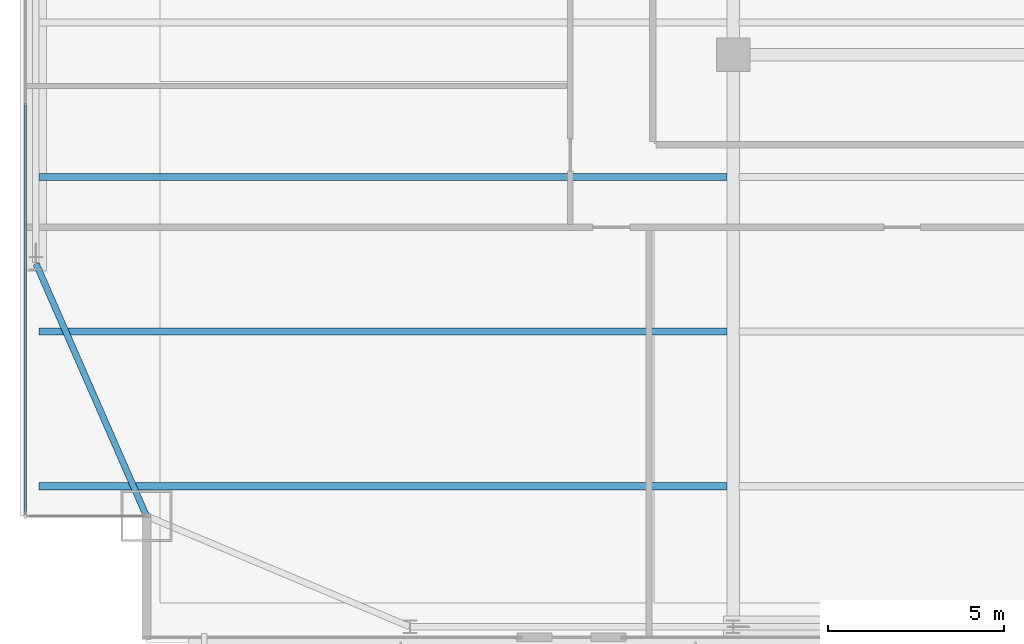
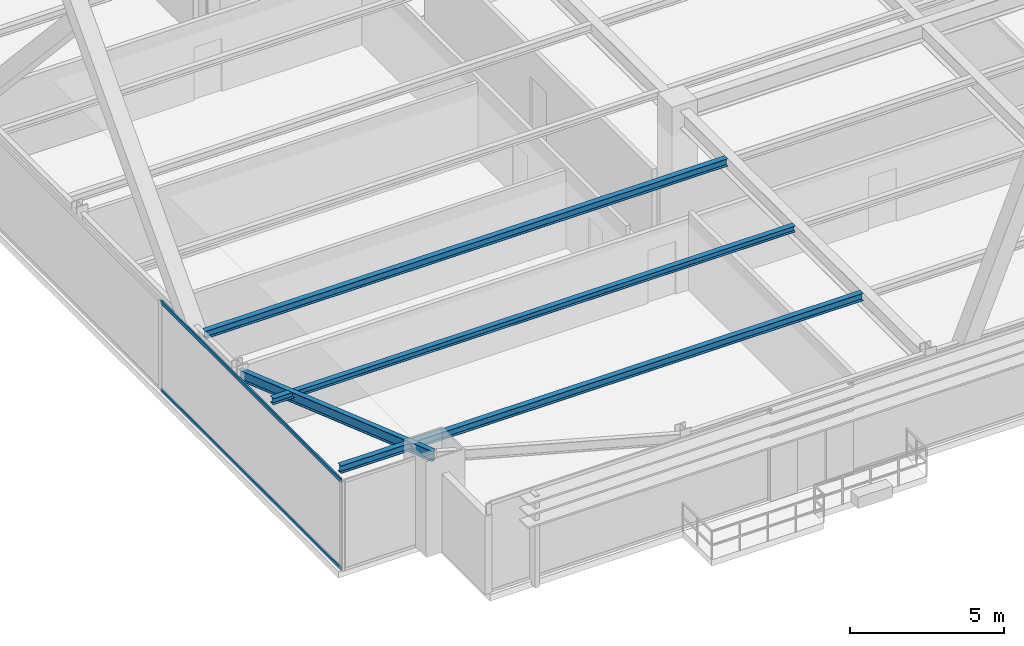
# One storey, part 5 of 38: 4 beams, 2 members, 1 element without a shape of its own.
"""IFC4 building model written with IfcOpenShell, lengths in metres."""

from ifc_helpers import new_model, si_unit, direction, frame, origin, origin_2d, place, context, subcontext, project, spatial, hollow_rectangle, i_section, extrude, source, transform, mapped, material, layer, layer_set, material_profile, profile_set, type_object, type_shapes, element, aggregate, save


model = new_model("IFC4")

# Units and contexts
model_context = context("Model", 3, precision=1e-05, world=origin(), true_north=direction((0.0, 1.0)))
body_context = subcontext(model_context, "Body", "Model", "MODEL_VIEW")
ifc_project = project(units=[si_unit("LENGTHUNIT", "METRE"), si_unit("AREAUNIT", "SQUARE_METRE"), si_unit("VOLUMEUNIT", "CUBIC_METRE"), si_unit("PLANEANGLEUNIT", "RADIAN"), si_unit("MASSUNIT", "GRAM", prefix="KILO")], contexts=[model_context])

# Site, building, storey
site_placement = place(None, origin())
site = spatial("IfcSite", under=ifc_project, at=site_placement, CompositionType="ELEMENT")
building_placement = place(site_placement, origin())
building = spatial("IfcBuilding", under=site, at=building_placement, Name="Varnel Quay Broadcast Tower", CompositionType="ELEMENT")
storey_placement = place(building_placement, frame((0.0, 0.0, 118.199951171875)))
storey = spatial("IfcBuildingStorey", under=building, at=storey_placement, Name="L28", CompositionType="ELEMENT", Elevation=118.199951171875)

# Beams
ifc_material_1 = material(Name="Structural Steel CSA G40.21 350W", Category="steel")
ifc_material_profile_1 = material_profile(ifc_material_1, i_section(OverallWidth=0.180908203125, OverallDepth=0.4169921875, WebThickness=0.010986328125, FlangeThickness=0.018310546875, FilletRadius=0.011962890625, at=origin_2d()), Name="W410X85")
ifc_profile_set_1 = profile_set([ifc_material_profile_1], Name="Structural Steel CSA G40.21 350W")
beam_type_1 = type_object("IfcBeamType", Name="Beam_W410X85", PredefinedType="SPANDREL", material=ifc_profile_set_1)
shared_shape_1 = source(origin(), body_context, "Body", "SweptSolid", [
    extrude(i_section(OverallWidth=0.180908203125, OverallDepth=0.4169921875, WebThickness=0.010986328125, FlangeThickness=0.018310546875, FilletRadius=0.011962890625, at=origin_2d()), origin(), (0.0, 0.0, 1.0), 7.81884765625),
])
type_shapes(beam_type_1, [shared_shape_1])
beam_1_placement = place(storey_placement, frame((8.092041015625, 7.818359375, 3.341552734375), z_axis=(-0.400827023998, 0.916153751743, 0.0), x_axis=(-0.916153751743, -0.400827023998, 0.0)))
element("IfcBeam", 1, at=beam_1_placement, inside=storey, type_object=beam_type_1, Name="L28 West Spandrel MC-SW-TC-W1", PredefinedType="SPANDREL", context=body_context, shape_type="MappedRepresentation", body=[
    mapped(shared_shape_1, transform((0.0, 0.0, 0.0), x_axis=(1.0, 0.0, 0.0), y_axis=(0.0, 1.0, 0.0), z_axis=(0.0, 0.0, 1.0), scale=1.0)),
])
ifc_material_profile_2 = material_profile(ifc_material_1, i_section(OverallWidth=0.202880859375, OverallDepth=0.302978515625, WebThickness=0.007568359375, FlangeThickness=0.01318359375, FilletRadius=0.011962890625, at=origin_2d()), Name="W310X60")
ifc_profile_set_2 = profile_set([ifc_material_profile_2], Name="Structural Steel CSA G40.21 350W")
beam_type_2 = type_object("IfcBeamType", Name="Beam_W310X60", PredefinedType="JOIST", material=ifc_profile_set_2)
shared_shape_2 = source(origin(), body_context, "Body", "SweptSolid", [
    extrude(i_section(OverallWidth=0.202880859375, OverallDepth=0.302978515625, WebThickness=0.007568359375, FlangeThickness=0.01318359375, FilletRadius=0.011962890625, at=origin_2d()), origin(), (0.0, 0.0, 1.0), 19.592041015625),
])
type_shapes(beam_type_2, [shared_shape_2])
for number, where, z_axis, x_axis, name in (
    (2, (5.035400390625, 8.64990234375, 3.3984375), (1.0, 0.0, 0.0), (0.0, 1.0, 0.0), "L28 West Floor Joist 1"),
    (3, (5.035400390625, 17.449951171875, 3.3984375), (1.0, 0.0, 0.0), (0.0, 1.0, 0.0), "L28 West Floor Joist 3"),
):
    element("IfcBeam", number, at=place(storey_placement, frame(where, z_axis=z_axis, x_axis=x_axis)), inside=storey, type_object=beam_type_2, Name=name, PredefinedType="JOIST", context=body_context, shape_type="MappedRepresentation", body=[
        mapped(shared_shape_2, transform((0.0, 0.0, 0.0), x_axis=(1.0, 0.0, 0.0), y_axis=(0.0, 1.0, 0.0), z_axis=(0.0, 0.0, 1.0), scale=1.0)),
    ])
ifc_material_profile_3 = material_profile(ifc_material_1, i_section(OverallWidth=0.201904296875, OverallDepth=0.2470703125, WebThickness=0.00732421875, FlangeThickness=0.010986328125, FilletRadius=0.010986328125, at=origin_2d()), Name="W250X49")
ifc_profile_set_3 = profile_set([ifc_material_profile_3], Name="Structural Steel CSA G40.21 350W")
beam_type_3 = type_object("IfcBeamType", Name="Beam_W250X49", PredefinedType="JOIST", material=ifc_profile_set_3)
shared_shape_3 = source(origin(), body_context, "Body", "SweptSolid", [
    extrude(i_section(OverallWidth=0.201904296875, OverallDepth=0.2470703125, WebThickness=0.00732421875, FlangeThickness=0.010986328125, FilletRadius=0.010986328125, at=origin_2d()), origin(), (0.0, 0.0, 1.0), 19.592041015625),
])
type_shapes(beam_type_3, [shared_shape_3])
beam_2_placement = place(storey_placement, frame((5.035400390625, 13.050048828125, 3.426513671875), z_axis=(1.0, 0.0, 0.0), x_axis=(0.0, 1.0, 0.0)))
element("IfcBeam", 4, at=beam_2_placement, inside=storey, type_object=beam_type_3, Name="L28 West Floor Joist 2", PredefinedType="JOIST", context=body_context, shape_type="MappedRepresentation", body=[
    mapped(shared_shape_3, transform((0.0, 0.0, 0.0), x_axis=(1.0, 0.0, 0.0), y_axis=(0.0, 1.0, 0.0), z_axis=(0.0, 0.0, 1.0), scale=1.0)),
])

# Curtain wall, members
ifc_material_2 = material(Name="Anodised Bronze Aluminium 6063-T6", Category="aluminium")
ifc_layer = layer(ifc_material_2, 0.18994140625, Name="Anodised Bronze Aluminium 6063-T6")
ifc_layer_set = layer_set([ifc_layer], Name="Anodised Bronze Aluminium 6063-T6")
curtain_wall_type = type_object("IfcCurtainWallType", Name="CW_LowerTower", PredefinedType="NOTDEFINED", material=ifc_layer_set)
curtain_wall_placement = place(storey_placement, origin())
curtain_wall = element("IfcCurtainWall", 5, at=curtain_wall_placement, inside=storey, type_object=curtain_wall_type, Name="L28 West Unitised Curtain Wall", PredefinedType="NOTDEFINED")
ifc_material_profile_4 = material_profile(ifc_material_2, hollow_rectangle(XDim=0.06005859375, YDim=0.14501953125, WallThickness=0.00341796875, at=origin_2d()), Name="ALU60X145X3.5")
ifc_profile_set_4 = profile_set([ifc_material_profile_4], Name="Anodised Bronze Aluminium 6063-T6")
member_type = type_object("IfcMemberType", Name="Tran_CWS-02", PredefinedType="USERDEFINED", material=ifc_profile_set_4)
shared_shape_4 = source(origin(), body_context, "Body", "SweptSolid", [
    extrude(hollow_rectangle(XDim=0.06005859375, YDim=0.14501953125, WallThickness=0.00341796875, at=origin_2d()), origin(), (0.0, 0.0, 1.0), 11.69482421875),
])
type_shapes(member_type, [shared_shape_4])
member_1_placement = place(storey_placement, frame((4.64990234375, 7.8701171875, 0.030029296875), z_axis=(0.0, 1.0, 0.0), x_axis=(-1.0, 0.0, 0.0)))
member_1 = element("IfcMember", 6, at=member_1_placement, type_object=member_type, Name="CWS-02 transom 1.1", ObjectType="TRANSOM", PredefinedType="USERDEFINED", context=body_context, shape_type="MappedRepresentation", body=[
    mapped(shared_shape_4, transform((0.0, 0.0, 0.0), x_axis=(1.0, 0.0, 0.0), y_axis=(0.0, 1.0, 0.0), z_axis=(0.0, 0.0, 1.0), scale=1.0)),
])
member_2_placement = place(storey_placement, frame((4.64990234375, 7.8701171875, 3.52001953125), z_axis=(0.0, 1.0, 0.0), x_axis=(-1.0, 0.0, 0.0)))
member_2 = element("IfcMember", 7, at=member_2_placement, type_object=member_type, Name="CWS-02 transom 1.2", ObjectType="TRANSOM", PredefinedType="USERDEFINED", context=body_context, shape_type="MappedRepresentation", body=[
    mapped(shared_shape_4, transform((0.0, 0.0, 0.0), x_axis=(1.0, 0.0, 0.0), y_axis=(0.0, 1.0, 0.0), z_axis=(0.0, 0.0, 1.0), scale=1.0)),
])
aggregate(curtain_wall, [member_1, member_2])

save(model, "model.ifc")
